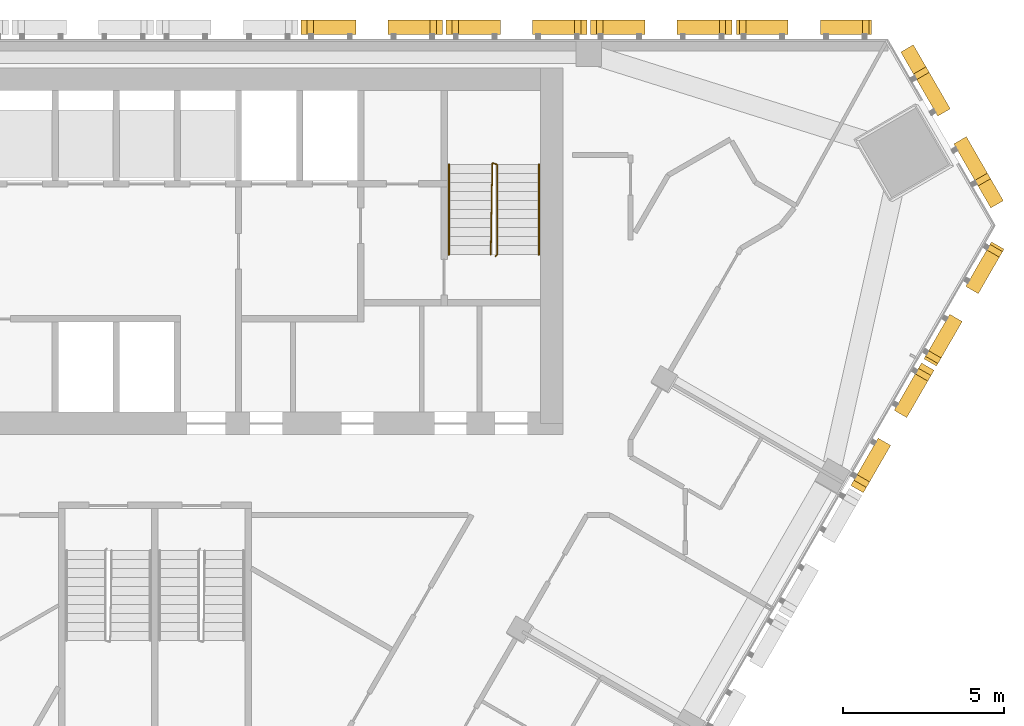
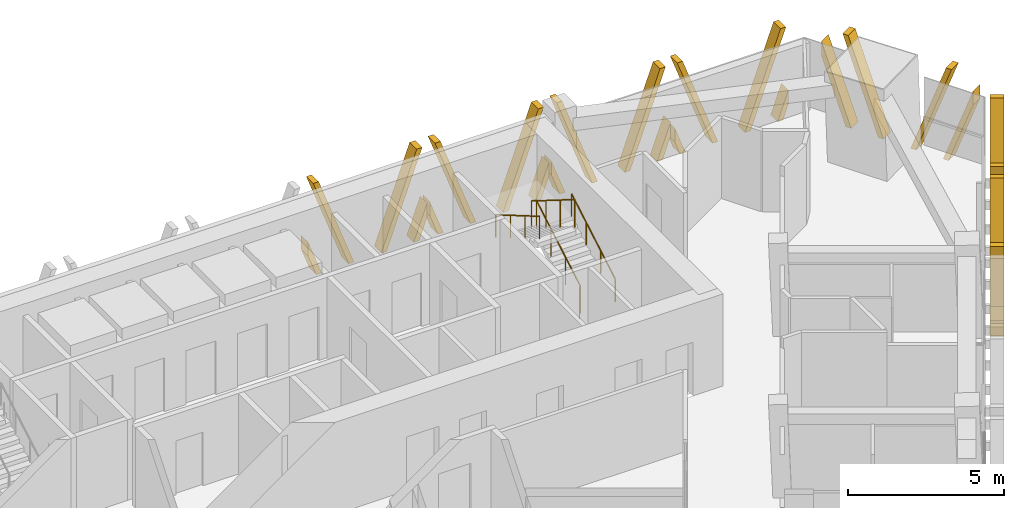
# One storey, part 15 of 16: 7 shading devices, 3 railings.
"""IFC4 building model written with IfcOpenShell, lengths in metres."""

from ifc_helpers import new_model, si_unit, direction, frame, origin, origin_2d, place, context, subcontext, project, spatial, polyline, circle, outline, extrude, source, transform, mapped, material, type_object, element, save


model = new_model("IFC4")

# Units and contexts
model_context = context("Model", 3, precision=1e-05, world=origin(), true_north=direction((0.0, 1.0)))
body_context = subcontext(model_context, "Body", "Model", "MODEL_VIEW")
ifc_project = project(units=[si_unit("LENGTHUNIT", "METRE"), si_unit("AREAUNIT", "SQUARE_METRE"), si_unit("VOLUMEUNIT", "CUBIC_METRE"), si_unit("PLANEANGLEUNIT", "RADIAN"), si_unit("MASSUNIT", "GRAM", prefix="KILO")], contexts=[model_context])

# Site, building, storey
site_placement = place(None, origin())
site = spatial("IfcSite", under=ifc_project, at=site_placement, CompositionType="ELEMENT")
building_placement = place(site_placement, origin())
building = spatial("IfcBuilding", under=site, at=building_placement, Name="Altiplano Prism Tower", CompositionType="ELEMENT")
storey_placement = place(building_placement, frame((0.0, 0.0, 181.800048828125)))
storey = spatial("IfcBuildingStorey", under=building, at=storey_placement, Name="L47", CompositionType="ELEMENT", Elevation=181.800048828125)

# Railings
ifc_material_1 = material(Name="Steel S355", Category="steel")
railing_type_1 = type_object("IfcRailingType", Name="Stair guard 1100", PredefinedType="GUARDRAIL", material=ifc_material_1)
railing_1_placement = place(storey_placement, frame((95.60009765625, 98.25, 0.0)))
element("IfcRailing", 1, at=railing_1_placement, inside=storey, type_object=railing_type_1, Name="L47 ST2 stair guard 1", PredefinedType="GUARDRAIL", context=body_context, shape_type="SweptSolid", body=[
    extrude(circle(Radius=0.02392578125, at=origin_2d()), frame((0.0, 0.0, 1.076171875), z_axis=(0.279546231943, 0.280916556609, 0.91811752648), x_axis=(-0.708833529934, 0.705375805398, 0.0)), (0.0, 0.0, 1.0), 0.17822265625),
    extrude(circle(Radius=0.02392578125, at=origin_2d()), frame((0.0498046875, 0.050048828125, 1.23974609375), z_axis=(0.0, 0.863360870873, 0.504586966384), x_axis=(-1.0, 0.0, 0.0)), (0.0, 0.0, 1.0), 3.2431640625),
    extrude(circle(Radius=0.02392578125, at=origin_2d()), frame((0.0498046875, 2.85009765625, 2.8759765625), z_axis=(-0.948991962702, 0.315300261223, 0.0), x_axis=(-0.315300261223, -0.948991962702, 0.0)), (0.0, 0.0, 1.0), 0.157958984375),
    extrude(circle(Radius=0.02392578125, at=origin_2d()), frame((-0.10009765625, 2.89990234375, 2.8759765625), z_axis=(-0.014846992469, -0.845409478506, 0.533912334065), x_axis=(0.999845825584, -0.017559187376, 0.0)), (0.0, 0.0, 1.0), 3.37109375),
    extrude(circle(Radius=0.02099609375, at=origin_2d()), origin(), (0.0, 0.0, 1.0), 1.052001953125),
    extrude(circle(Radius=0.02099609375, at=origin_2d()), frame((0.0498046875, 0.050048828125, 0.16357421875)), (0.0, 0.0, 1.0), 1.052001953125),
    extrude(circle(Radius=0.02099609375, at=origin_2d()), frame((0.0498046875, 0.9833984375, 0.708984375)), (0.0, 0.0, 1.0), 1.052001953125),
    extrude(circle(Radius=0.02099609375, at=origin_2d()), frame((0.0498046875, 1.916748046875, 1.254638671875)), (0.0, 0.0, 1.0), 1.052001953125),
    extrude(circle(Radius=0.02099609375, at=origin_2d()), frame((0.0498046875, 2.85009765625, 1.800048828125)), (0.0, 0.0, 1.0), 1.052001953125),
    extrude(circle(Radius=0.02099609375, at=origin_2d()), frame((-0.10009765625, 2.89990234375, 1.800048828125)), (0.0, 0.0, 1.0), 1.052001953125),
    extrude(circle(Radius=0.02099609375, at=origin_2d()), frame((-0.11669921875, 1.949951171875, 2.39990234375)), (0.0, 0.0, 1.0), 1.052001953125),
    extrude(circle(Radius=0.02099609375, at=origin_2d()), frame((-0.133544921875, 1.0, 3.0)), (0.0, 0.0, 1.0), 1.052001953125),
    extrude(circle(Radius=0.02099609375, at=origin_2d()), frame((-0.150146484375, 0.050048828125, 3.599853515625)), (0.0, 0.0, 1.0), 1.052001953125),
])
railing_type_2 = type_object("IfcRailingType", Name="Stair handrail 900", PredefinedType="HANDRAIL", material=ifc_material_1)
railing_2_placement = place(storey_placement, frame((96.949951171875, 98.300048828125, 0.16357421875)))
element("IfcRailing", 2, at=railing_2_placement, inside=storey, type_object=railing_type_2, Name="L47 ST2 stair handrail 1", PredefinedType="HANDRAIL", context=body_context, shape_type="SweptSolid", body=[
    extrude(circle(Radius=0.02392578125, at=origin_2d()), frame((0.0, 0.0, 0.8759765625), z_axis=(0.0, 0.863360870873, 0.504586966384), x_axis=(-1.0, 0.0, 0.0)), (0.0, 0.0, 1.0), 3.2431640625),
    extrude(circle(Radius=0.02099609375, at=origin_2d()), origin(), (0.0, 0.0, 1.0), 0.851806640625),
    extrude(circle(Radius=0.02099609375, at=origin_2d()), frame((0.0, 0.933349609375, 0.54541015625)), (0.0, 0.0, 1.0), 0.851806640625),
    extrude(circle(Radius=0.02099609375, at=origin_2d()), frame((0.0, 1.86669921875, 1.091064453125)), (0.0, 0.0, 1.0), 0.851806640625),
    extrude(circle(Radius=0.02099609375, at=origin_2d()), frame((0.0, 2.800048828125, 1.636474609375)), (0.0, 0.0, 1.0), 0.851806640625),
])
railing_3_placement = place(storey_placement, frame((94.14990234375, 101.10009765625, 1.963623046875)))
element("IfcRailing", 3, at=railing_3_placement, inside=storey, type_object=railing_type_2, Name="L47 ST2 stair handrail 2", PredefinedType="HANDRAIL", context=body_context, shape_type="SweptSolid", body=[
    extrude(circle(Radius=0.02392578125, at=origin_2d()), frame((0.0, 0.0, 0.8759765625), z_axis=(0.0, -0.863393664356, 0.504530851732), x_axis=(1.0, 0.0, 0.0)), (0.0, 0.0, 1.0), 3.2431640625),
    extrude(circle(Radius=0.02099609375, at=origin_2d()), origin(), (0.0, 0.0, 1.0), 0.851806640625),
    extrude(circle(Radius=0.02099609375, at=origin_2d()), frame((0.0, -0.933349609375, 0.54541015625)), (0.0, 0.0, 1.0), 0.851806640625),
    extrude(circle(Radius=0.02099609375, at=origin_2d()), frame((0.0, -1.86669921875, 1.0908203125)), (0.0, 0.0, 1.0), 0.851806640625),
    extrude(circle(Radius=0.02099609375, at=origin_2d()), frame((0.0, -2.800048828125, 1.63623046875)), (0.0, 0.0, 1.0), 0.851806640625),
])

# Shading devices
ifc_material_2 = material(Name="Warm limestone cast stone", Category="masonry")
shading_device_type_1 = type_object("IfcShadingDeviceType", Name="Stone fin panel, standard unit", PredefinedType="USERDEFINED", material=ifc_material_2)
shared_shape_1 = source(origin(), body_context, "Body", "SweptSolid", [
    extrude(outline(polyline([(-2.199951171875, 1.373779296875), (-2.199951171875, 0.82421875), (-1.89990234375, 0.0), (-1.699951171875, 0.0), (-2.199951171875, 1.373779296875)])), frame((0.0, -0.14990234375, 0.0), z_axis=(0.0, -1.0, 0.0), x_axis=(1.0, 0.0, 0.0)), (0.0, 0.0, 1.0), 0.4501953125),
    extrude(outline(polyline([(-2.01025390625, 3.60009765625), (-0.699951171875, 0.0), (-0.5, 0.0), (-1.810302734375, 3.60009765625), (-2.01025390625, 3.60009765625)])), frame((0.0, -0.14990234375, 0.0), z_axis=(0.0, -1.0, 0.0), x_axis=(1.0, 0.0, 0.0)), (0.0, 0.0, 1.0), 0.4501953125),
    extrude(outline(polyline([(1.810302734375, 3.60009765625), (0.5, 0.0), (0.699951171875, 0.0), (2.01025390625, 3.60009765625), (1.810302734375, 3.60009765625)])), frame((0.0, -0.14990234375, 0.0), z_axis=(0.0, -1.0, 0.0), x_axis=(1.0, 0.0, 0.0)), (0.0, 0.0, 1.0), 0.4501953125),
    extrude(outline(polyline([(2.199951171875, 0.82421875), (2.199951171875, 1.373779296875), (1.699951171875, 0.0), (1.89990234375, 0.0), (2.199951171875, 0.82421875)])), frame((0.0, -0.14990234375, 0.0), z_axis=(0.0, -1.0, 0.0), x_axis=(1.0, 0.0, 0.0)), (0.0, 0.0, 1.0), 0.4501953125),
])
shading_device_1_placement = place(storey_placement, origin())
element("IfcShadingDevice", 4, at=shading_device_1_placement, inside=storey, type_object=shading_device_type_1, Name="Fin L47 north face 2", ObjectType="FIN", PredefinedType="USERDEFINED", context=body_context, shape_type="MappedRepresentation", body=[
    mapped(shared_shape_1, transform((100.75, 105.0, -0.449951171875), x_axis=(-1.0, 0.0, 0.0), y_axis=(0.0, -1.0, 0.0), z_axis=(0.0, 0.0, 1.0))),
])
shading_device_2_placement = place(storey_placement, origin())
element("IfcShadingDevice", 5, at=shading_device_2_placement, inside=storey, type_object=shading_device_type_1, Name="Fin L47 north face 3", ObjectType="FIN", PredefinedType="USERDEFINED", context=body_context, shape_type="MappedRepresentation", body=[
    mapped(shared_shape_1, transform((96.25, 105.0, -0.449951171875), x_axis=(-1.0, 0.0, 0.0), y_axis=(0.0, -1.0, 0.0), z_axis=(0.0, 0.0, 1.0))),
])
shading_device_3_placement = place(storey_placement, origin())
element("IfcShadingDevice", 6, at=shading_device_3_placement, inside=storey, type_object=shading_device_type_1, Name="Fin L47 north face 4", ObjectType="FIN", PredefinedType="USERDEFINED", context=body_context, shape_type="MappedRepresentation", body=[
    mapped(shared_shape_1, transform((91.75, 105.0, -0.449951171875), x_axis=(-1.0, 0.0, 0.0), y_axis=(0.0, -1.0, 0.0), z_axis=(0.0, 0.0, 1.0))),
])
shading_device_4_placement = place(storey_placement, origin())
element("IfcShadingDevice", 7, at=shading_device_4_placement, inside=storey, type_object=shading_device_type_1, Name="Fin L47 south-east face 9", ObjectType="FIN", PredefinedType="USERDEFINED", context=body_context, shape_type="MappedRepresentation", body=[
    mapped(shared_shape_1, transform((107.6220703125, 93.097412109375, -0.449951171875), x_axis=(0.499999990992, 0.866025408985, 0.0), y_axis=(-0.866025408985, 0.499999990992, 0.0), z_axis=(0.0, 0.0, 1.0))),
])
shading_device_type_2 = type_object("IfcShadingDeviceType", Name="Stone fin panel, chamfer unit", PredefinedType="USERDEFINED", material=ifc_material_2)
shared_shape_2 = source(origin(), body_context, "Body", "SweptSolid", [
    extrude(outline(polyline([(-2.800048828125, 3.022216796875), (-2.800048828125, 2.47265625), (-1.89990234375, 0.0), (-1.699951171875, 0.0), (-2.800048828125, 3.022216796875)])), frame((0.0, -0.14990234375, 0.0), z_axis=(0.0, -1.0, 0.0), x_axis=(1.0, 0.0, 0.0)), (0.0, 0.0, 1.0), 0.4501953125),
    extrude(outline(polyline([(-2.01025390625, 3.60009765625), (-0.699951171875, 0.0), (-0.5, 0.0), (-1.810302734375, 3.60009765625), (-2.01025390625, 3.60009765625)])), frame((0.0, -0.14990234375, 0.0), z_axis=(0.0, -1.0, 0.0), x_axis=(1.0, 0.0, 0.0)), (0.0, 0.0, 1.0), 0.4501953125),
    extrude(outline(polyline([(1.810302734375, 3.60009765625), (0.5, 0.0), (0.699951171875, 0.0), (2.01025390625, 3.60009765625), (1.810302734375, 3.60009765625)])), frame((0.0, -0.14990234375, 0.0), z_axis=(0.0, -1.0, 0.0), x_axis=(1.0, 0.0, 0.0)), (0.0, 0.0, 1.0), 0.4501953125),
    extrude(outline(polyline([(2.800048828125, 2.47265625), (2.800048828125, 3.022216796875), (1.699951171875, 0.0), (1.89990234375, 0.0), (2.800048828125, 2.47265625)])), frame((0.0, -0.14990234375, 0.0), z_axis=(0.0, -1.0, 0.0), x_axis=(1.0, 0.0, 0.0)), (0.0, 0.0, 1.0), 0.4501953125),
])
shading_device_5_placement = place(storey_placement, origin())
element("IfcShadingDevice", 8, at=shading_device_5_placement, inside=storey, type_object=shading_device_type_2, Name="Fin L47 north-east chamfer 1", ObjectType="FIN", PredefinedType="USERDEFINED", context=body_context, shape_type="MappedRepresentation", body=[
    mapped(shared_shape_2, transform((109.476318359375, 102.10302734375, -0.449951171875), x_axis=(-0.499999911823, 0.866025454693, 0.0), y_axis=(-0.866025454693, -0.499999911823, 0.0), z_axis=(0.0, 0.0, 1.0))),
])
shading_device_type_3 = type_object("IfcShadingDeviceType", Name="Stone fin panel, wide closing bay", PredefinedType="USERDEFINED", material=ifc_material_2)
shared_shape_3 = source(origin(), body_context, "Body", "SweptSolid", [
    extrude(outline(polyline([(-2.10009765625, 1.09912109375), (-2.10009765625, 0.549560546875), (-1.89990234375, 0.0), (-1.699951171875, 0.0), (-2.10009765625, 1.09912109375)])), frame((0.0, -0.14990234375, 0.0), z_axis=(0.0, -1.0, 0.0), x_axis=(1.0, 0.0, 0.0)), (0.0, 0.0, 1.0), 0.4501953125),
    extrude(outline(polyline([(-2.01025390625, 3.60009765625), (-0.699951171875, 0.0), (-0.5, 0.0), (-1.810302734375, 3.60009765625), (-2.01025390625, 3.60009765625)])), frame((0.0, -0.14990234375, 0.0), z_axis=(0.0, -1.0, 0.0), x_axis=(1.0, 0.0, 0.0)), (0.0, 0.0, 1.0), 0.4501953125),
    extrude(outline(polyline([(1.810302734375, 3.60009765625), (0.5, 0.0), (0.699951171875, 0.0), (2.01025390625, 3.60009765625), (1.810302734375, 3.60009765625)])), frame((0.0, -0.14990234375, 0.0), z_axis=(0.0, -1.0, 0.0), x_axis=(1.0, 0.0, 0.0)), (0.0, 0.0, 1.0), 0.4501953125),
    extrude(outline(polyline([(2.10009765625, 0.549560546875), (2.10009765625, 1.09912109375), (1.699951171875, 0.0), (1.89990234375, 0.0), (2.10009765625, 0.549560546875)])), frame((0.0, -0.14990234375, 0.0), z_axis=(0.0, -1.0, 0.0), x_axis=(1.0, 0.0, 0.0)), (0.0, 0.0, 1.0), 0.4501953125),
])
shading_device_6_placement = place(storey_placement, origin())
element("IfcShadingDevice", 9, at=shading_device_6_placement, inside=storey, type_object=shading_device_type_3, Name="Fin L47 north face 1", ObjectType="FIN", PredefinedType="USERDEFINED", context=body_context, shape_type="MappedRepresentation", body=[
    mapped(shared_shape_3, transform((105.201904296875, 105.0, -0.449951171875), x_axis=(-1.0, 0.0, 0.0), y_axis=(0.0, -1.0, 0.0), z_axis=(0.0, 0.0, 1.0))),
])
shading_device_7_placement = place(storey_placement, origin())
element("IfcShadingDevice", 10, at=shading_device_7_placement, inside=storey, type_object=shading_device_type_3, Name="Fin L47 south-east face 10", ObjectType="FIN", PredefinedType="USERDEFINED", context=body_context, shape_type="MappedRepresentation", body=[
    mapped(shared_shape_3, transform((109.847900390625, 96.952880859375, -0.449951171875), x_axis=(0.499999990992, 0.866025408985, 0.0), y_axis=(-0.866025408985, 0.499999990992, 0.0), z_axis=(0.0, 0.0, 1.0))),
])

save(model, "model.ifc")
